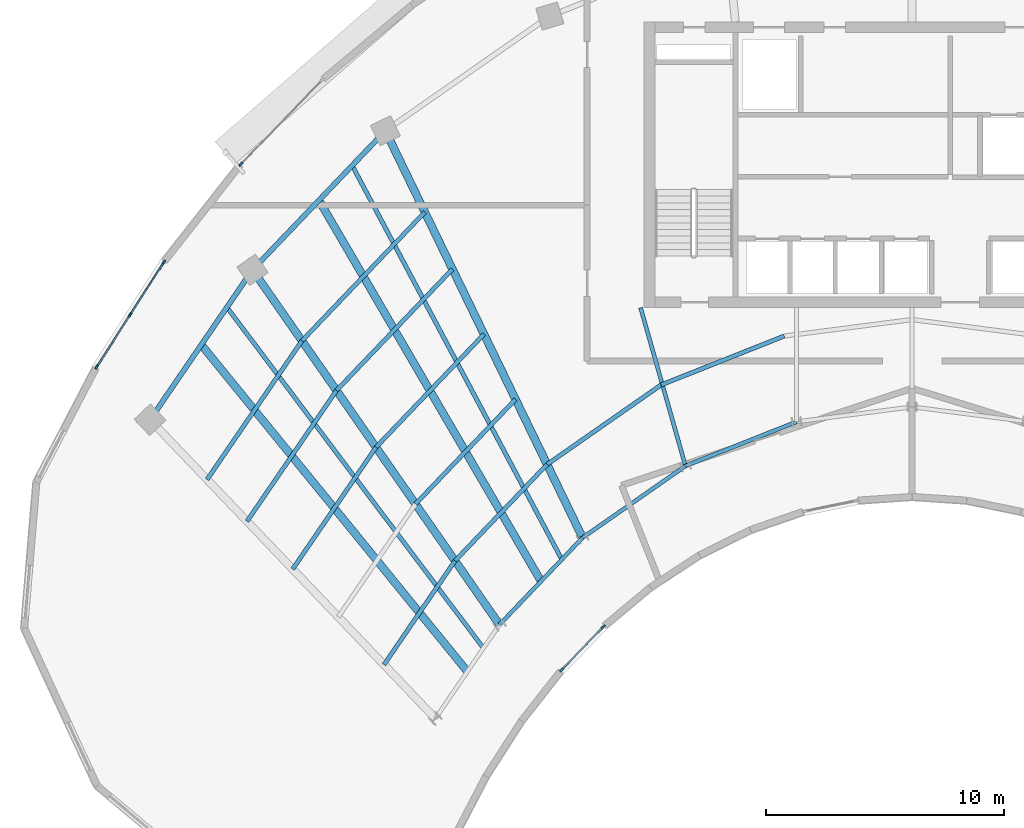
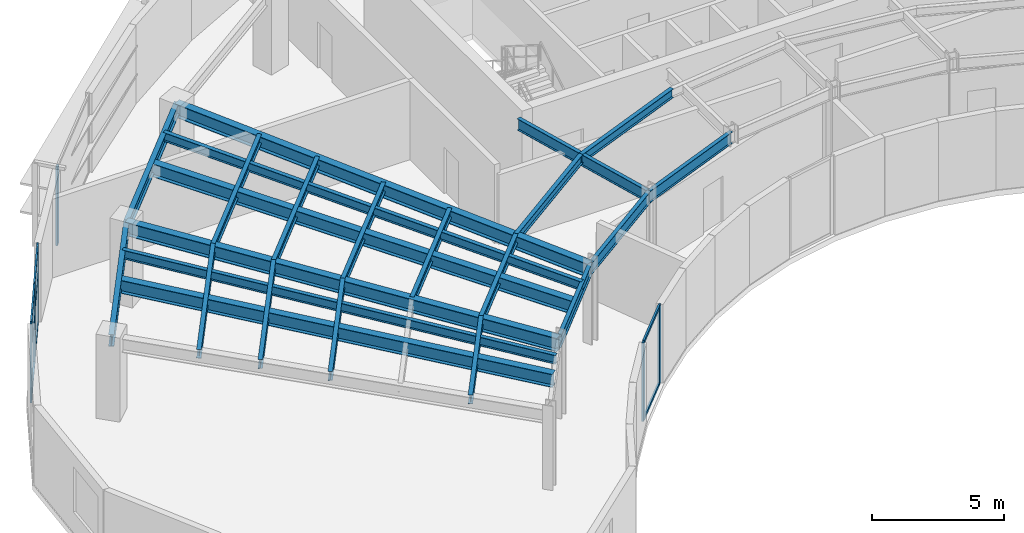
# One storey, part 2 of 13: 23 beams, 14 members, 3 elements without a shape of their own.
"""IFC4 building model written with IfcOpenShell, lengths in metres."""

from ifc_helpers import new_model, si_unit, direction, frame, origin, origin_2d, place, context, subcontext, project, spatial, rectangle, i_section, extrude, source, transform, mapped, material, layer, layer_set, material_profile, profile_set, type_object, type_shapes, element, aggregate, save


model = new_model("IFC4")

# Units and contexts
model_context = context("Model", 3, precision=1e-05, world=origin(), true_north=direction((0.0, 1.0)))
body_context = subcontext(model_context, "Body", "Model", "MODEL_VIEW")
ifc_project = project(units=[si_unit("LENGTHUNIT", "METRE"), si_unit("AREAUNIT", "SQUARE_METRE"), si_unit("VOLUMEUNIT", "CUBIC_METRE"), si_unit("PLANEANGLEUNIT", "RADIAN"), si_unit("MASSUNIT", "GRAM", prefix="KILO")], contexts=[model_context])

# Site, building, storey
site_placement = place(None, origin())
site = spatial("IfcSite", under=ifc_project, at=site_placement, CompositionType="ELEMENT")
building_placement = place(site_placement, origin())
building = spatial("IfcBuilding", under=site, at=building_placement, Name="Breltana Convention Tower", CompositionType="ELEMENT")
storey_placement = place(building_placement, frame((0.0, 0.0, 227.39990234375)))
storey = spatial("IfcBuildingStorey", under=building, at=storey_placement, Name="L55", CompositionType="ELEMENT", Elevation=227.39990234375)

# Beams
ifc_material_1 = material(Name="Steel ASTM A992 Grade 50", Category="steel")
ifc_material_profile_1 = material_profile(ifc_material_1, i_section(OverallWidth=0.323974609375, OverallDepth=0.611083984375, WebThickness=0.0126953125, FlangeThickness=0.01904296875, at=origin_2d()), Name="W24X104")
ifc_profile_set_1 = profile_set([ifc_material_profile_1], Name="Steel ASTM A992 Grade 50")
beam_type_1 = type_object("IfcBeamType", Name="BM-JSG-01", PredefinedType="JOIST", material=ifc_profile_set_1)
shared_shape_1 = source(origin(), body_context, "Body", "SweptSolid", [
    extrude(i_section(OverallWidth=0.323974609375, OverallDepth=0.611083984375, WebThickness=0.0126953125, FlangeThickness=0.01904296875, at=origin_2d()), origin(), (0.0, 0.0, 1.0), 17.691650390625),
])
type_shapes(beam_type_1, [shared_shape_1])
beam_1_placement = place(storey_placement, frame((29.330810546875, 44.923583984375, 3.344482421875), z_axis=(-0.631476958478, 0.775394642044, 0.0), x_axis=(-0.775394642044, -0.631476958478, 0.0)))
element("IfcBeam", 1, at=beam_1_placement, inside=storey, type_object=beam_type_1, Name="L55 Mid-Bay Radial Trimmer 01", PredefinedType="JOIST", context=body_context, shape_type="MappedRepresentation", body=[
    mapped(shared_shape_1, transform((0.0, 0.0, 0.0), scale=1.0)),
])
ifc_material_profile_2 = material_profile(ifc_material_1, i_section(OverallWidth=0.179931640625, OverallDepth=0.4130859375, WebThickness=0.009765625, FlangeThickness=0.01611328125, at=origin_2d()), Name="W16X50")
ifc_profile_set_2 = profile_set([ifc_material_profile_2], Name="Steel ASTM A992 Grade 50")
beam_type_2 = type_object("IfcBeamType", Name="BM-JSG-08", PredefinedType="JOIST", material=ifc_profile_set_2)
shared_shape_2 = source(origin(), body_context, "Body", "SweptSolid", [
    extrude(i_section(OverallWidth=0.179931640625, OverallDepth=0.4130859375, WebThickness=0.009765625, FlangeThickness=0.01611328125, at=origin_2d()), origin(), (0.0, 0.0, 1.0), 17.9072265625),
])
beam_2_placement = place(storey_placement, frame((30.00390625, 45.907958984375, 3.443603515625), z_axis=(-0.601382105028, 0.798961553363, 0.0), x_axis=(-0.798961553363, -0.601382105028, 0.0)))
element("IfcBeam", 2, at=beam_2_placement, inside=storey, type_object=beam_type_2, Name="L55 Quarter-Bay Radial Trimmer 01", PredefinedType="JOIST", context=body_context, shape_type="MappedRepresentation", body=[
    mapped(shared_shape_2, transform((0.0, 0.0, 0.0), scale=1.0)),
])
shared_shape_3 = source(origin(), body_context, "Body", "SweptSolid", [
    extrude(i_section(OverallWidth=0.323974609375, OverallDepth=0.611083984375, WebThickness=0.0126953125, FlangeThickness=0.01904296875, at=origin_2d()), origin(), (0.0, 0.0, 1.0), 18.50830078125),
])
beam_3_placement = place(storey_placement, frame((32.421630859375, 48.71875, 3.344482421875), z_axis=(-0.50368319637, 0.863888440537, 0.0), x_axis=(-0.863888440537, -0.50368319637, 0.0)))
element("IfcBeam", 3, at=beam_3_placement, inside=storey, type_object=beam_type_1, Name="L55 Mid-Bay Radial Trimmer 02", PredefinedType="JOIST", context=body_context, shape_type="MappedRepresentation", body=[
    mapped(shared_shape_3, transform((0.0, 0.0, 0.0), scale=1.0)),
])
shared_shape_4 = source(origin(), body_context, "Body", "SweptSolid", [
    extrude(i_section(OverallWidth=0.179931640625, OverallDepth=0.4130859375, WebThickness=0.009765625, FlangeThickness=0.01611328125, at=origin_2d()), origin(), (0.0, 0.0, 1.0), 18.731689453125),
])
beam_4_placement = place(storey_placement, frame((33.2939453125, 49.6318359375, 3.443603515625), z_axis=(-0.469820250451, 0.882762104004, 0.0), x_axis=(-0.882762104004, -0.469820250451, 0.0)))
element("IfcBeam", 4, at=beam_4_placement, inside=storey, type_object=beam_type_2, Name="L55 Quarter-Bay Radial Trimmer 02", PredefinedType="JOIST", context=body_context, shape_type="MappedRepresentation", body=[
    mapped(shared_shape_4, transform((0.0, 0.0, 0.0), scale=1.0)),
])
ifc_material_profile_3 = material_profile(ifc_material_1, i_section(OverallWidth=0.166015625, OverallDepth=0.534912109375, WebThickness=0.01025390625, FlangeThickness=0.0166015625, at=origin_2d()), Name="W21X57")
ifc_profile_set_3 = profile_set([ifc_material_profile_3], Name="Steel ASTM A992 Grade 50")
beam_type_3 = type_object("IfcBeamType", Name="BM-BM-W21X57", PredefinedType="BEAM", material=ifc_profile_set_3)
shared_shape_5 = source(origin(), body_context, "Body", "SweptSolid", [
    extrude(i_section(OverallWidth=0.166015625, OverallDepth=0.534912109375, WebThickness=0.01025390625, FlangeThickness=0.0166015625, at=origin_2d()), origin(), (0.0, 0.0, 1.0), 6.904541015625),
])
type_shapes(beam_type_3, [shared_shape_5])
beam_5_placement = place(storey_placement, frame((36.60009765625, 60.199951171875, 3.382568359375), z_axis=(0.273006781054, -0.962012108811, 0.0), x_axis=(0.962012108811, 0.273006781054, 0.0)))
element("IfcBeam", 5, at=beam_5_placement, inside=storey, type_object=beam_type_3, Name="L55 South Core Tie Girder R04", PredefinedType="BEAM", context=body_context, shape_type="MappedRepresentation", body=[
    mapped(shared_shape_5, transform((0.0, 0.0, 0.0), scale=1.0)),
])
shared_shape_6 = source(origin(), body_context, "Body", "SweptSolid", [
    extrude(i_section(OverallWidth=0.166015625, OverallDepth=0.534912109375, WebThickness=0.01025390625, FlangeThickness=0.0166015625, at=origin_2d()), origin(), (0.0, 0.0, 1.0), 5.05126953125),
])
beam_6_placement = place(storey_placement, frame((30.67724609375, 46.892333984375, 3.382568359375), z_axis=(0.690729753845, 0.7231129975, 0.0), x_axis=(-0.7231129975, 0.690729753845, 0.0)))
element("IfcBeam", 6, at=beam_6_placement, inside=storey, type_object=beam_type_3, Name="L55 Inner Ring Beam 02", PredefinedType="BEAM", context=body_context, shape_type="MappedRepresentation", body=[
    mapped(shared_shape_6, transform((0.0, 0.0, 0.0), scale=1.0)),
])
shared_shape_7 = source(origin(), body_context, "Body", "SweptSolid", [
    extrude(i_section(OverallWidth=0.166015625, OverallDepth=0.534912109375, WebThickness=0.01025390625, FlangeThickness=0.0166015625, at=origin_2d()), origin(), (0.0, 0.0, 1.0), 5.265869140625),
])
beam_7_placement = place(storey_placement, frame((34.166259765625, 50.544921875, 3.382568359375), z_axis=(0.820167429517, 0.572123577176, 0.0), x_axis=(-0.572123577176, 0.820167429517, 0.0)))
element("IfcBeam", 7, at=beam_7_placement, inside=storey, type_object=beam_type_3, Name="L55 Inner Ring Beam 03", PredefinedType="BEAM", context=body_context, shape_type="MappedRepresentation", body=[
    mapped(shared_shape_7, transform((0.0, 0.0, 0.0), scale=1.0)),
])
shared_shape_8 = source(origin(), body_context, "Body", "SweptSolid", [
    extrude(i_section(OverallWidth=0.166015625, OverallDepth=0.534912109375, WebThickness=0.01025390625, FlangeThickness=0.0166015625, at=origin_2d()), origin(), (0.0, 0.0, 1.0), 5.022705078125),
])
beam_8_placement = place(storey_placement, frame((38.485107421875, 53.5576171875, 3.382568359375), z_axis=(0.929458966248, 0.368925507469, 0.0), x_axis=(-0.368925507469, 0.929458966248, 0.0)))
element("IfcBeam", 8, at=beam_8_placement, inside=storey, type_object=beam_type_3, Name="L55 Inner Ring Beam 04", PredefinedType="BEAM", context=body_context, shape_type="MappedRepresentation", body=[
    mapped(shared_shape_8, transform((0.0, 0.0, 0.0), scale=1.0)),
])
ifc_material_profile_4 = material_profile(ifc_material_1, i_section(OverallWidth=0.326904296875, OverallDepth=0.6220703125, WebThickness=0.015380859375, FlangeThickness=0.0244140625, at=origin_2d()), Name="W24X131")
ifc_profile_set_4 = profile_set([ifc_material_profile_4], Name="Steel ASTM A992 Grade 50")
beam_type_4 = type_object("IfcBeamType", Name="BM-RG-W24X131", PredefinedType="USERDEFINED", material=ifc_profile_set_4)
shared_shape_9 = source(origin(), body_context, "Body", "SweptSolid", [
    extrude(i_section(OverallWidth=0.326904296875, OverallDepth=0.6220703125, WebThickness=0.015380859375, FlangeThickness=0.0244140625, at=origin_2d()), origin(), (0.0, 0.0, 1.0), 18.1484375),
])
beam_9_placement = place(storey_placement, frame((30.67724609375, 46.892333984375, 3.339111328125), z_axis=(-0.571207556098, 0.820805657788, 0.0), x_axis=(-0.820805657788, -0.571207556098, 0.0)))
element("IfcBeam", 9, at=beam_9_placement, inside=storey, type_object=beam_type_4, Name="L55 Radial Floor Girder R02", ObjectType="GIRDER", PredefinedType="USERDEFINED", context=body_context, shape_type="MappedRepresentation", body=[
    mapped(shared_shape_9, transform((0.0, 0.0, 0.0), scale=1.0)),
])
shared_shape_10 = source(origin(), body_context, "Body", "SweptSolid", [
    extrude(i_section(OverallWidth=0.326904296875, OverallDepth=0.6220703125, WebThickness=0.015380859375, FlangeThickness=0.0244140625, at=origin_2d()), origin(), (0.0, 0.0, 1.0), 18.982421875),
])
beam_10_placement = place(storey_placement, frame((34.166259765625, 50.544921875, 3.339111328125), z_axis=(-0.436118560343, 0.89988921614, 0.0), x_axis=(-0.89988921614, -0.436118560343, 0.0)))
element("IfcBeam", 10, at=beam_10_placement, inside=storey, type_object=beam_type_4, Name="L55 Radial Floor Girder R03", ObjectType="GIRDER", PredefinedType="USERDEFINED", context=body_context, shape_type="MappedRepresentation", body=[
    mapped(shared_shape_10, transform((0.0, 0.0, 0.0), scale=1.0)),
])
ifc_material_profile_5 = material_profile(ifc_material_1, i_section(OverallWidth=0.214111328125, OverallDepth=0.549072265625, WebThickness=0.0146484375, FlangeThickness=0.023681640625, at=origin_2d()), Name="W21X93")
ifc_profile_set_5 = profile_set([ifc_material_profile_5], Name="Steel ASTM A992 Grade 50")
beam_type_5 = type_object("IfcBeamType", Name="BM-SP-W21X93", PredefinedType="SPANDREL", material=ifc_profile_set_5)
shared_shape_11 = source(origin(), body_context, "Body", "SweptSolid", [
    extrude(i_section(OverallWidth=0.214111328125, OverallDepth=0.549072265625, WebThickness=0.0146484375, FlangeThickness=0.023681640625, at=origin_2d()), origin(), (0.0, 0.0, 1.0), 7.625),
])
type_shapes(beam_type_5, [shared_shape_11])
beam_11_placement = place(storey_placement, frame((16.0068359375, 55.494384765625, 3.37548828125), z_axis=(0.564452031902, 0.825465870694, 0.0), x_axis=(-0.825465870694, 0.564452031902, 0.0)))
element("IfcBeam", 11, at=beam_11_placement, inside=storey, type_object=beam_type_5, Name="L55 Outer Spandrel Beam 01", PredefinedType="SPANDREL", context=body_context, shape_type="MappedRepresentation", body=[
    mapped(shared_shape_11, transform((0.0, 0.0, 0.0), scale=1.0)),
])
shared_shape_12 = source(origin(), body_context, "Body", "SweptSolid", [
    extrude(i_section(OverallWidth=0.214111328125, OverallDepth=0.549072265625, WebThickness=0.0146484375, FlangeThickness=0.023681640625, at=origin_2d()), origin(), (0.0, 0.0, 1.0), 8.073974609375),
])
beam_12_placement = place(storey_placement, frame((20.310791015625, 61.78857421875, 3.37548828125), z_axis=(0.69072885448, 0.723113856588, 0.0), x_axis=(-0.723113856588, 0.69072885448, 0.0)))
element("IfcBeam", 12, at=beam_12_placement, inside=storey, type_object=beam_type_5, Name="L55 Outer Spandrel Beam 02", PredefinedType="SPANDREL", context=body_context, shape_type="MappedRepresentation", body=[
    mapped(shared_shape_12, transform((0.0, 0.0, 0.0), scale=1.0)),
])
shared_shape_13 = source(origin(), body_context, "Body", "SweptSolid", [
    extrude(i_section(OverallWidth=0.179931640625, OverallDepth=0.4130859375, WebThickness=0.009765625, FlangeThickness=0.01611328125, at=origin_2d()), origin(), (0.0, 0.0, 1.0), 5.2841796875),
])
beam_13_placement = place(storey_placement, frame((25.82861328125, 45.2119140625, 3.443603515625), z_axis=(0.564460290479, 0.825460223434, 0.0), x_axis=(-0.825460223434, 0.564460290479, 0.0)))
element("IfcBeam", 13, at=beam_13_placement, inside=storey, type_object=beam_type_2, Name="L55 Composite Floor Joist 01.1", PredefinedType="JOIST", context=body_context, shape_type="MappedRepresentation", body=[
    mapped(shared_shape_13, transform((0.0, 0.0, 0.0), scale=1.0)),
])
shared_shape_14 = source(origin(), body_context, "Body", "SweptSolid", [
    extrude(i_section(OverallWidth=0.179931640625, OverallDepth=0.4130859375, WebThickness=0.009765625, FlangeThickness=0.01611328125, at=origin_2d()), origin(), (0.0, 0.0, 1.0), 6.19775390625),
])
beam_14_placement = place(storey_placement, frame((21.99560546875, 49.224609375, 3.443603515625), z_axis=(0.56447913712, 0.825447335544, 0.0), x_axis=(-0.825447335544, 0.56447913712, 0.0)))
element("IfcBeam", 14, at=beam_14_placement, inside=storey, type_object=beam_type_2, Name="L55 Composite Floor Joist 01.3", PredefinedType="JOIST", context=body_context, shape_type="MappedRepresentation", body=[
    mapped(shared_shape_14, transform((0.0, 0.0, 0.0), scale=1.0)),
])
shared_shape_15 = source(origin(), body_context, "Body", "SweptSolid", [
    extrude(i_section(OverallWidth=0.179931640625, OverallDepth=0.4130859375, WebThickness=0.009765625, FlangeThickness=0.01611328125, at=origin_2d()), origin(), (0.0, 0.0, 1.0), 6.654541015625),
])
beam_15_placement = place(storey_placement, frame((20.0791015625, 51.23095703125, 3.443603515625), z_axis=(0.564482668195, 0.82544492082, 0.0), x_axis=(-0.82544492082, 0.564482668195, 0.0)))
element("IfcBeam", 15, at=beam_15_placement, inside=storey, type_object=beam_type_2, Name="L55 Composite Floor Joist 01.4", PredefinedType="JOIST", context=body_context, shape_type="MappedRepresentation", body=[
    mapped(shared_shape_15, transform((0.0, 0.0, 0.0), scale=1.0)),
])
shared_shape_16 = source(origin(), body_context, "Body", "SweptSolid", [
    extrude(i_section(OverallWidth=0.179931640625, OverallDepth=0.4130859375, WebThickness=0.009765625, FlangeThickness=0.01611328125, at=origin_2d()), origin(), (0.0, 0.0, 1.0), 7.05419921875),
])
beam_16_placement = place(storey_placement, frame((18.40234375, 52.986572265625, 3.443603515625), z_axis=(0.564485382828, 0.825443064405, 0.0), x_axis=(-0.825443064405, 0.564485382828, 0.0)))
element("IfcBeam", 16, at=beam_16_placement, inside=storey, type_object=beam_type_2, Name="L55 Composite Floor Joist 01.5", PredefinedType="JOIST", context=body_context, shape_type="MappedRepresentation", body=[
    mapped(shared_shape_16, transform((0.0, 0.0, 0.0), scale=1.0)),
])
shared_shape_17 = source(origin(), body_context, "Body", "SweptSolid", [
    extrude(i_section(OverallWidth=0.179931640625, OverallDepth=0.4130859375, WebThickness=0.009765625, FlangeThickness=0.01611328125, at=origin_2d()), origin(), (0.0, 0.0, 1.0), 5.59521484375),
])
beam_17_placement = place(storey_placement, frame((28.811279296875, 49.57373046875, 3.443603515625), z_axis=(0.690711281401, 0.72313064224, 0.0), x_axis=(-0.72313064224, 0.690711281401, 0.0)))
element("IfcBeam", 17, at=beam_17_placement, inside=storey, type_object=beam_type_2, Name="L55 Composite Floor Joist 02.1", PredefinedType="JOIST", context=body_context, shape_type="MappedRepresentation", body=[
    mapped(shared_shape_17, transform((0.0, 0.0, 0.0), scale=1.0)),
])
shared_shape_18 = source(origin(), body_context, "Body", "SweptSolid", [
    extrude(i_section(OverallWidth=0.179931640625, OverallDepth=0.4130859375, WebThickness=0.009765625, FlangeThickness=0.01611328125, at=origin_2d()), origin(), (0.0, 0.0, 1.0), 6.0791015625),
])
beam_18_placement = place(storey_placement, frame((27.152587890625, 51.95703125, 3.443603515625), z_axis=(0.690736468909, 0.723106583098, 0.0), x_axis=(-0.723106583098, 0.690736468909, 0.0)))
element("IfcBeam", 18, at=beam_18_placement, inside=storey, type_object=beam_type_2, Name="L55 Composite Floor Joist 02.2", PredefinedType="JOIST", context=body_context, shape_type="MappedRepresentation", body=[
    mapped(shared_shape_18, transform((0.0, 0.0, 0.0), scale=1.0)),
])
shared_shape_19 = source(origin(), body_context, "Body", "SweptSolid", [
    extrude(i_section(OverallWidth=0.179931640625, OverallDepth=0.4130859375, WebThickness=0.009765625, FlangeThickness=0.01611328125, at=origin_2d()), origin(), (0.0, 0.0, 1.0), 6.562255859375),
])
beam_19_placement = place(storey_placement, frame((25.494140625, 54.340576171875, 3.443603515625), z_axis=(0.690719038213, 0.723123233101, 0.0), x_axis=(-0.723123233101, 0.690719038213, 0.0)))
element("IfcBeam", 19, at=beam_19_placement, inside=storey, type_object=beam_type_2, Name="L55 Composite Floor Joist 02.3", PredefinedType="JOIST", context=body_context, shape_type="MappedRepresentation", body=[
    mapped(shared_shape_19, transform((0.0, 0.0, 0.0), scale=1.0)),
])
shared_shape_20 = source(origin(), body_context, "Body", "SweptSolid", [
    extrude(i_section(OverallWidth=0.179931640625, OverallDepth=0.4130859375, WebThickness=0.009765625, FlangeThickness=0.01611328125, at=origin_2d()), origin(), (0.0, 0.0, 1.0), 7.046142578125),
])
beam_20_placement = place(storey_placement, frame((23.83544921875, 56.723876953125, 3.443603515625), z_axis=(0.690722929904, 0.723119515782, 0.0), x_axis=(-0.723119515782, 0.690722929904, 0.0)))
element("IfcBeam", 20, at=beam_20_placement, inside=storey, type_object=beam_type_2, Name="L55 Composite Floor Joist 02.4", PredefinedType="JOIST", context=body_context, shape_type="MappedRepresentation", body=[
    mapped(shared_shape_20, transform((0.0, 0.0, 0.0), scale=1.0)),
])
shared_shape_21 = source(origin(), body_context, "Body", "SweptSolid", [
    extrude(i_section(OverallWidth=0.179931640625, OverallDepth=0.4130859375, WebThickness=0.009765625, FlangeThickness=0.01611328125, at=origin_2d()), origin(), (0.0, 0.0, 1.0), 7.469482421875),
])
beam_21_placement = place(storey_placement, frame((22.38427734375, 58.809326171875, 3.443603515625), z_axis=(0.690708925898, 0.723132892133, 0.0), x_axis=(-0.723132892133, 0.690708925898, 0.0)))
element("IfcBeam", 21, at=beam_21_placement, inside=storey, type_object=beam_type_2, Name="L55 Composite Floor Joist 02.5", PredefinedType="JOIST", context=body_context, shape_type="MappedRepresentation", body=[
    mapped(shared_shape_21, transform((0.0, 0.0, 0.0), scale=1.0)),
])
shared_shape_22 = source(origin(), body_context, "Body", "SweptSolid", [
    extrude(i_section(OverallWidth=0.179931640625, OverallDepth=0.4130859375, WebThickness=0.009765625, FlangeThickness=0.01611328125, at=origin_2d()), origin(), (0.0, 0.0, 1.0), 5.8330078125),
])
beam_22_placement = place(storey_placement, frame((32.676025390625, 53.619873046875, 3.443603515625), z_axis=(0.820198204115, 0.572079457739, 0.0), x_axis=(-0.572079457739, 0.820198204115, 0.0)))
element("IfcBeam", 22, at=beam_22_placement, inside=storey, type_object=beam_type_2, Name="L55 Composite Floor Joist 03.1", PredefinedType="JOIST", context=body_context, shape_type="MappedRepresentation", body=[
    mapped(shared_shape_22, transform((0.0, 0.0, 0.0), scale=1.0)),
])
shared_shape_23 = source(origin(), body_context, "Body", "SweptSolid", [
    extrude(i_section(OverallWidth=0.179931640625, OverallDepth=0.4130859375, WebThickness=0.009765625, FlangeThickness=0.01611328125, at=origin_2d()), origin(), (0.0, 0.0, 1.0), 5.563720703125),
])
beam_23_placement = place(storey_placement, frame((37.460205078125, 56.956787109375, 3.443603515625), z_axis=(0.929447960386, 0.368953234074, 0.0), x_axis=(-0.368953234074, 0.929447960386, 0.0)))
element("IfcBeam", 23, at=beam_23_placement, inside=storey, type_object=beam_type_2, Name="L55 Composite Floor Joist 04.1", PredefinedType="JOIST", context=body_context, shape_type="MappedRepresentation", body=[
    mapped(shared_shape_23, transform((0.0, 0.0, 0.0), scale=1.0)),
])

# Curtain wall, members
ifc_material_2 = material(Name="Aluminium Anodised Bronze Frame", Category="aluminium")
ifc_layer_1 = layer(ifc_material_2, 0.18994140625, Name="Aluminium Anodised Bronze Frame")
ifc_layer_set_1 = layer_set([ifc_layer_1], Name="Aluminium Anodised Bronze Frame")
curtain_wall_type_1 = type_object("IfcCurtainWallType", Name="CW-SYS-1", PredefinedType="NOTDEFINED", material=ifc_layer_set_1)
curtain_wall_1_placement = place(storey_placement, origin())
curtain_wall_1 = element("IfcCurtainWall", 24, at=curtain_wall_1_placement, inside=storey, type_object=curtain_wall_type_1, Name="L55 inner south-court glazing 5", PredefinedType="NOTDEFINED")
ifc_material_3 = material(Name="Aluminium Anodised Bronze", Category="aluminium")
ifc_material_profile_6 = material_profile(ifc_material_3, rectangle(XDim=0.080078125, YDim=0.199951171875, at=origin_2d()), Name="CWM-80X200")
ifc_profile_set_6 = profile_set([ifc_material_profile_6], Name="Aluminium Anodised Bronze")
member_type_1 = type_object("IfcMemberType", Name="CWM-200", PredefinedType="MULLION", material=ifc_profile_set_6)
shared_shape_24 = source(origin(), body_context, "Body", "SweptSolid", [
    extrude(rectangle(XDim=0.080078125, YDim=0.199951171875, at=origin_2d()), origin(), (0.0, 0.0, 1.0), 3.650146484375),
])
member_1_placement = place(storey_placement, frame((35.0302734375, 46.798828125, 0.0), z_axis=(0.0, 0.0, 1.0), x_axis=(0.719365500595, -0.694631756079, 0.0)))
member_1 = element("IfcMember", 25, at=member_1_placement, type_object=member_type_1, Name="CW-01 mullion 1", PredefinedType="MULLION", context=body_context, shape_type="MappedRepresentation", body=[
    mapped(shared_shape_24, transform((0.0, 0.0, 0.0), scale=1.0)),
])
member_2_placement = place(storey_placement, frame((33.288330078125, 44.994873046875, 0.0), z_axis=(0.0, 0.0, 1.0), x_axis=(0.719365500595, -0.694631756079, 0.0)))
member_2 = element("IfcMember", 26, at=member_2_placement, type_object=member_type_1, Name="CW-01 mullion 2", PredefinedType="MULLION", context=body_context, shape_type="MappedRepresentation", body=[
    mapped(shared_shape_24, transform((0.0, 0.0, 0.0), scale=1.0)),
])

ifc_layer_2 = layer(ifc_material_2, 0.219970703125, Name="Aluminium Anodised Bronze Frame")
ifc_layer_set_2 = layer_set([ifc_layer_2], Name="Aluminium Anodised Bronze Frame")
curtain_wall_type_2 = type_object("IfcCurtainWallType", Name="CW-SYS-4", PredefinedType="NOTDEFINED", material=ifc_layer_set_2)
curtain_wall_2_placement = place(storey_placement, origin())
curtain_wall_2 = element("IfcCurtainWall", 27, at=curtain_wall_2_placement, inside=storey, type_object=curtain_wall_type_2, Name="L55 outer double-skin inner glazing 1", PredefinedType="NOTDEFINED")
member_3_placement = place(storey_placement, frame((13.76611328125, 57.710693359375, 0.0), z_axis=(0.0, 0.0, 1.0), x_axis=(-0.84154835428, 0.540181791075, 0.0)))
member_3 = element("IfcMember", 28, at=member_3_placement, type_object=member_type_1, Name="CW-04 mullion 1", PredefinedType="MULLION", context=body_context, shape_type="MappedRepresentation", body=[
    mapped(shared_shape_24, transform((0.0, 0.0, 0.0), scale=1.0)),
])
member_4_placement = place(storey_placement, frame((15.1767578125, 59.908203125, 0.0), z_axis=(0.0, 0.0, 1.0), x_axis=(-0.84154835428, 0.540181791075, 0.0)))
member_4 = element("IfcMember", 29, at=member_4_placement, type_object=member_type_1, Name="CW-04 mullion 2", PredefinedType="MULLION", context=body_context, shape_type="MappedRepresentation", body=[
    mapped(shared_shape_24, transform((0.0, 0.0, 0.0), scale=1.0)),
])
member_5_placement = place(storey_placement, frame((16.58740234375, 62.10595703125, 0.0), z_axis=(0.0, 0.0, 1.0), x_axis=(-0.84154835428, 0.540181791075, 0.0)))
member_5 = element("IfcMember", 30, at=member_5_placement, type_object=member_type_1, Name="CW-04 mullion 3", PredefinedType="MULLION", context=body_context, shape_type="MappedRepresentation", body=[
    mapped(shared_shape_24, transform((0.0, 0.0, 0.0), scale=1.0)),
])

# Curtain wall, member
curtain_wall_3_placement = place(storey_placement, origin())
curtain_wall_3 = element("IfcCurtainWall", 31, at=curtain_wall_3_placement, inside=storey, type_object=curtain_wall_type_2, Name="L55 outer double-skin inner glazing 2", PredefinedType="NOTDEFINED")
member_6_placement = place(storey_placement, frame((19.822265625, 66.218994140625, 0.0), z_axis=(0.0, 0.0, 1.0), x_axis=(-0.719396292115, 0.694599866751, 0.0)))
member_6 = element("IfcMember", 32, at=member_6_placement, type_object=member_type_1, Name="CW-04 mullion 1", PredefinedType="MULLION", context=body_context, shape_type="MappedRepresentation", body=[
    mapped(shared_shape_24, transform((0.0, 0.0, 0.0), scale=1.0)),
])
aggregate(curtain_wall_3, [member_6])

# Member
ifc_material_profile_7 = material_profile(ifc_material_3, rectangle(XDim=0.080078125, YDim=0.139892578125, at=origin_2d()), Name="CWT-80X140")
ifc_profile_set_7 = profile_set([ifc_material_profile_7], Name="Aluminium Anodised Bronze")
member_type_2 = type_object("IfcMemberType", Name="CWT-140", PredefinedType="USERDEFINED", material=ifc_profile_set_7)
shared_shape_25 = source(origin(), body_context, "Body", "SweptSolid", [
    extrude(rectangle(XDim=0.080078125, YDim=0.139892578125, at=origin_2d()), origin(), (0.0, 0.0, 1.0), 2.427490234375),
])
member_7_placement = place(storey_placement, frame((35.00244140625, 46.77001953125, 0.0400390625), z_axis=(-0.694628613474, -0.719368535135, 0.0), x_axis=(0.719368535135, -0.694628613474, 0.0)))
member_7 = element("IfcMember", 33, at=member_7_placement, type_object=member_type_2, Name="CW-01 transom 1.1", ObjectType="TRANSOM", PredefinedType="USERDEFINED", context=body_context, shape_type="MappedRepresentation", body=[
    mapped(shared_shape_25, transform((0.0, 0.0, 0.0), scale=1.0)),
])

member_8_placement = place(storey_placement, frame((35.00244140625, 46.77001953125, 3.610107421875), z_axis=(-0.694628613474, -0.719368535135, 0.0), x_axis=(0.719368535135, -0.694628613474, 0.0)))
member_8 = element("IfcMember", 34, at=member_8_placement, type_object=member_type_2, Name="CW-01 transom 1.2", ObjectType="TRANSOM", PredefinedType="USERDEFINED", context=body_context, shape_type="MappedRepresentation", body=[
    mapped(shared_shape_25, transform((0.0, 0.0, 0.0), scale=1.0)),
])

aggregate(curtain_wall_1, [member_1, member_2, member_7, member_8])

ifc_material_profile_8 = material_profile(ifc_material_3, rectangle(XDim=0.070068359375, YDim=0.1201171875, at=origin_2d()), Name="CWT-70X120")
ifc_profile_set_8 = profile_set([ifc_material_profile_8], Name="Aluminium Anodised Bronze")
member_type_3 = type_object("IfcMemberType", Name="CWT-120", PredefinedType="USERDEFINED", material=ifc_profile_set_8)
shared_shape_26 = source(origin(), body_context, "Body", "SweptSolid", [
    extrude(rectangle(XDim=0.070068359375, YDim=0.1201171875, at=origin_2d()), origin(), (0.0, 0.0, 1.0), 2.531494140625),
])
member_9_placement = place(storey_placement, frame((13.787841796875, 57.744384765625, 0.03515625), z_axis=(0.540172540617, 0.841554291988, 0.0), x_axis=(-0.841554291988, 0.540172540617, 0.0)))
member_9 = element("IfcMember", 35, at=member_9_placement, type_object=member_type_3, Name="CW-04 transom 1.1", ObjectType="TRANSOM", PredefinedType="USERDEFINED", context=body_context, shape_type="MappedRepresentation", body=[
    mapped(shared_shape_26, transform((0.0, 0.0, 0.0), scale=1.0)),
])

member_10_placement = place(storey_placement, frame((13.787841796875, 57.744384765625, 2.37255859375), z_axis=(0.540172540617, 0.841554291988, 0.0), x_axis=(-0.841554291988, 0.540172540617, 0.0)))
member_10 = element("IfcMember", 36, at=member_10_placement, type_object=member_type_3, Name="CW-04 transom 1.2", ObjectType="TRANSOM", PredefinedType="USERDEFINED", context=body_context, shape_type="MappedRepresentation", body=[
    mapped(shared_shape_26, transform((0.0, 0.0, 0.0), scale=1.0)),
])

member_11_placement = place(storey_placement, frame((13.787841796875, 57.744384765625, 3.614990234375), z_axis=(0.540172540617, 0.841554291988, 0.0), x_axis=(-0.841554291988, 0.540172540617, 0.0)))
member_11 = element("IfcMember", 37, at=member_11_placement, type_object=member_type_3, Name="CW-04 transom 1.3", ObjectType="TRANSOM", PredefinedType="USERDEFINED", context=body_context, shape_type="MappedRepresentation", body=[
    mapped(shared_shape_26, transform((0.0, 0.0, 0.0), scale=1.0)),
])

member_12_placement = place(storey_placement, frame((15.198486328125, 59.94189453125, 0.03515625), z_axis=(0.540172540617, 0.841554291988, 0.0), x_axis=(-0.841554291988, 0.540172540617, 0.0)))
member_12 = element("IfcMember", 38, at=member_12_placement, type_object=member_type_3, Name="CW-04 transom 2.1", ObjectType="TRANSOM", PredefinedType="USERDEFINED", context=body_context, shape_type="MappedRepresentation", body=[
    mapped(shared_shape_26, transform((0.0, 0.0, 0.0), scale=1.0)),
])

member_13_placement = place(storey_placement, frame((15.198486328125, 59.94189453125, 2.37255859375), z_axis=(0.540172540617, 0.841554291988, 0.0), x_axis=(-0.841554291988, 0.540172540617, 0.0)))
member_13 = element("IfcMember", 39, at=member_13_placement, type_object=member_type_3, Name="CW-04 transom 2.2", ObjectType="TRANSOM", PredefinedType="USERDEFINED", context=body_context, shape_type="MappedRepresentation", body=[
    mapped(shared_shape_26, transform((0.0, 0.0, 0.0), scale=1.0)),
])

member_14_placement = place(storey_placement, frame((15.198486328125, 59.94189453125, 3.614990234375), z_axis=(0.540172540617, 0.841554291988, 0.0), x_axis=(-0.841554291988, 0.540172540617, 0.0)))
member_14 = element("IfcMember", 40, at=member_14_placement, type_object=member_type_3, Name="CW-04 transom 2.3", ObjectType="TRANSOM", PredefinedType="USERDEFINED", context=body_context, shape_type="MappedRepresentation", body=[
    mapped(shared_shape_26, transform((0.0, 0.0, 0.0), scale=1.0)),
])

aggregate(curtain_wall_2, [member_3, member_4, member_5, member_9, member_10, member_11, member_12, member_13, member_14])

save(model, "model.ifc")
